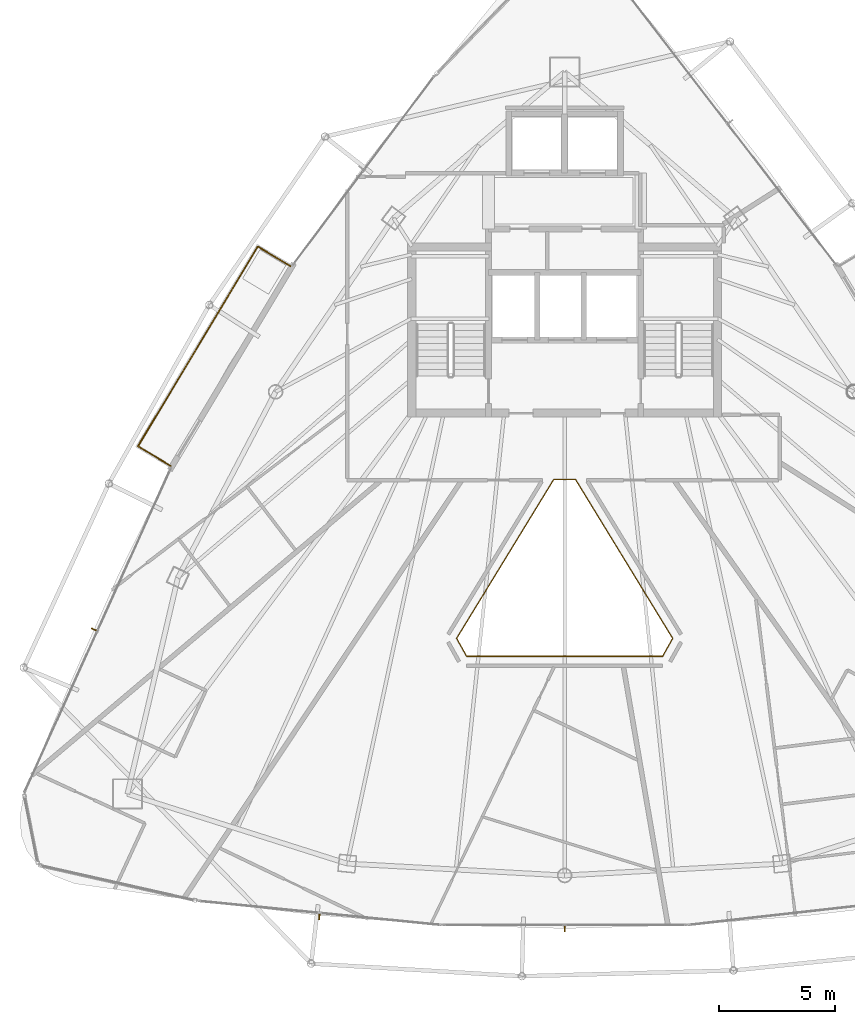
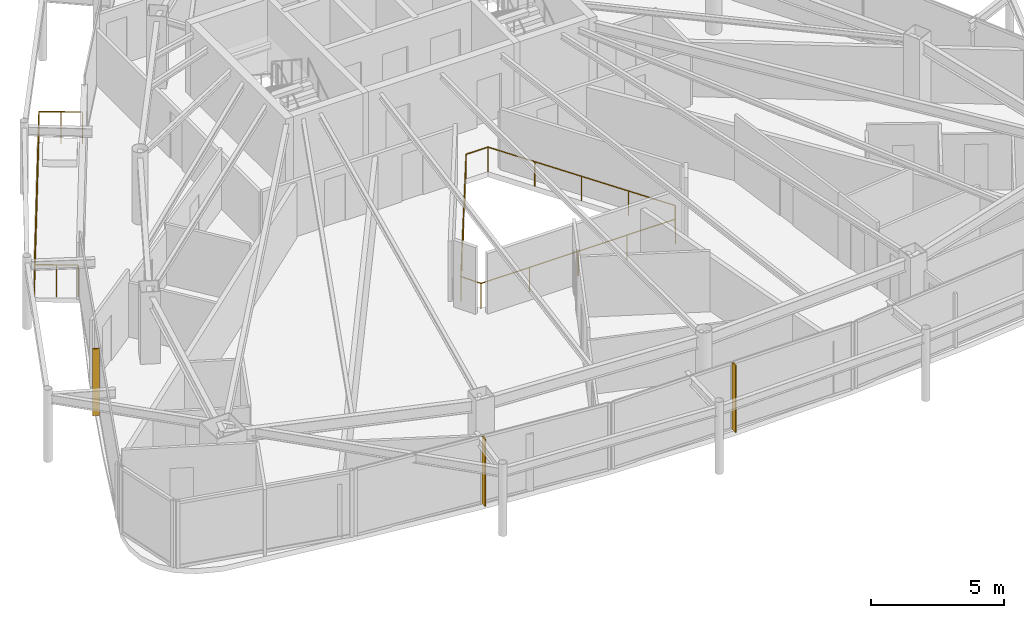
# One storey, part 31 of 33: 3 shading devices, 2 railings.
"""IFC4 building model written with IfcOpenShell, lengths in metres."""

import ifcopenshell
import ifcopenshell.guid

model = None  # the IFC model being written
_history = None  # IfcOwnerHistory: only IFC2X3 demands one
_inside = {}  # id of a spatial element -> (the spatial element, [elements in it])
_under = {}  # id of a project, library or spatial element -> (it, [spatial elements below it])
_declared = {}  # id of a project -> (the project, [libraries it declares])
_typed = {}  # id of a type object -> (the type object, [elements of that type])
_made_of = {}  # id of a material, layer set ... -> (it, [elements and type objects made of it])


def new_model(schema):
    """Start an empty IFC model of exactly this schema.

    Asked for "IFC4X3", IfcOpenShell would pick the latest addendum, in which some entities
    have other attributes; the version numbers below select the first issue.
    IFC2X3 requires an IfcOwnerHistory on every rooted entity: one is made here for all.
    """
    global model, _history
    if schema == "IFC4X3":
        model = ifcopenshell.file(schema_version=(4, 3, 0, 0))
    else:
        model = ifcopenshell.file(schema=schema)
    _inside.clear()
    _under.clear()
    _declared.clear()
    _typed.clear()
    _made_of.clear()
    _history = None
    if model.schema == "IFC2X3":
        org = make("IfcOrganization", Name="unknown")
        user = make(
            "IfcPersonAndOrganization",
            ThePerson=make("IfcPerson", FamilyName="unknown"),
            TheOrganization=org,
        )
        app = make(
            "IfcApplication",
            ApplicationDeveloper=org,
            Version="unknown",
            ApplicationFullName="unknown",
            ApplicationIdentifier="unknown",
        )
        _history = make(
            "IfcOwnerHistory",
            OwningUser=user,
            OwningApplication=app,
            ChangeAction="ADDED",
            CreationDate=0,
        )
    return model


def make(cls, **values):
    """One entity of the class cls with the attributes given. An attribute that is None is left unset."""
    return model.create_entity(
        cls, **{name: value for name, value in values.items() if value is not None}
    )


def rooted(cls, **values):
    """An entity with a GlobalId (a new one), such as an element, a storey or a relation."""
    return make(cls, GlobalId=ifcopenshell.guid.new(), OwnerHistory=_history, **values)


def si_unit(unit_type, name, prefix=None):
    """IfcSIUnit, for example si_unit("LENGTHUNIT", "METRE", prefix="MILLI")."""
    return make("IfcSIUnit", UnitType=unit_type, Prefix=prefix, Name=name)


def assignment(units):
    """IfcUnitAssignment: the units of a project."""
    return None if units is None else make("IfcUnitAssignment", Units=units)


def point(xyz):
    """IfcCartesianPoint."""
    return None if xyz is None else make("IfcCartesianPoint", Coordinates=xyz)


def direction(xyz):
    """IfcDirection."""
    return None if xyz is None else make("IfcDirection", DirectionRatios=xyz)


def frame(location, z_axis=None, x_axis=None):
    """IfcAxis2Placement3D, a coordinate frame: its origin and axes. An axis left out is left unset."""
    return make(
        "IfcAxis2Placement3D",
        Location=point(location),
        Axis=direction(z_axis),
        RefDirection=direction(x_axis),
    )


def frame_2d(location, x_axis=None):
    """IfcAxis2Placement2D, a coordinate frame in the plane: its origin and x axis."""
    return make(
        "IfcAxis2Placement2D", Location=point(location), RefDirection=direction(x_axis)
    )


def origin():
    """The frame at (0, 0, 0) with its axes left unset."""
    return frame((0.0, 0.0, 0.0))


def origin_2d():
    """The frame at (0, 0) in the plane with its x axis left unset."""
    return frame_2d((0.0, 0.0))


def place(relative_to, where):
    """IfcLocalPlacement: puts the frame where relative to a parent placement (None: the world)."""
    return make(
        "IfcLocalPlacement", PlacementRelTo=relative_to, RelativePlacement=where
    )


def context(
    kind, dimensions, precision=None, world=None, true_north=None, identifier=None
):
    """IfcGeometricRepresentationContext, for example the 3D "Model" context."""
    return make(
        "IfcGeometricRepresentationContext",
        ContextIdentifier=identifier,
        ContextType=kind,
        CoordinateSpaceDimension=dimensions,
        Precision=precision,
        WorldCoordinateSystem=world,
        TrueNorth=true_north,
    )


def subcontext(parent, identifier, kind, view, scale=None):
    """IfcGeometricRepresentationSubContext, for example "Body" below "Model"."""
    return make(
        "IfcGeometricRepresentationSubContext",
        ContextIdentifier=identifier,
        ContextType=kind,
        ParentContext=parent,
        TargetScale=scale,
        TargetView=view,
    )


def project(units=None, contexts=None):
    """IfcProject with its units and contexts."""
    return rooted(
        "IfcProject",
        Name="project",
        RepresentationContexts=contexts,
        UnitsInContext=assignment(units),
    )


def spatial(cls, under=None, at=None, **own):
    """A site, building, storey or space (cls), placed at a placement, below another one or the project."""
    s = rooted(cls, ObjectPlacement=at, **own)
    if under is not None:
        _under.setdefault(under.id(), (under, []))[1].append(s)
    return s


def profile(cls, at=None, kind="AREA", **sizes):
    """A parametric profile (cls). Its sizes go by their IFC names, for example OverallWidth=200.0."""
    return make(cls, ProfileType=kind, Position=at, **sizes)


def rectangle(**sizes):
    """IfcRectangleProfileDef."""
    return profile("IfcRectangleProfileDef", **sizes)


def circle(**sizes):
    """IfcCircleProfileDef."""
    return profile("IfcCircleProfileDef", **sizes)


def extrude(swept, where, along, depth):
    """IfcExtrudedAreaSolid: the profile swept, set in the frame where, extruded along a direction by depth."""
    return make(
        "IfcExtrudedAreaSolid",
        SweptArea=swept,
        Position=where,
        ExtrudedDirection=direction(along),
        Depth=depth,
    )


def shape(context_of_items, identifier, shape_type, items):
    """IfcShapeRepresentation: the items that make up one representation, for example the "Body"."""
    return make(
        "IfcShapeRepresentation",
        ContextOfItems=context_of_items,
        RepresentationIdentifier=identifier,
        RepresentationType=shape_type,
        Items=items,
    )


def material(Name=None, Category=None):
    """IfcMaterial."""
    return make("IfcMaterial", Name=Name, Category=Category)


def layer(
    of_material, thickness, ventilated=None, Name=None, Category=None, Priority=None
):
    """IfcMaterialLayer: one layer of a wall or slab, of a material (None: an air gap)."""
    return make(
        "IfcMaterialLayer",
        Material=of_material,
        LayerThickness=thickness,
        IsVentilated=ventilated,
        Name=Name,
        Category=Category,
        Priority=Priority,
    )


def layer_set(layers, Name=None):
    """IfcMaterialLayerSet."""
    return make("IfcMaterialLayerSet", MaterialLayers=layers, LayerSetName=Name)


def made_of(thing, what):
    """Note that an element or type object is made of a material, layer set ...; save() writes the relation."""
    if what is not None:
        _made_of.setdefault(what.id(), (what, []))[1].append(thing)
    return thing


def type_object(cls, material=None, **own):
    """A type object (cls), such as IfcWallType, which elements share."""
    return made_of(rooted(cls, **own), material)


def element(
    cls,
    number,
    at=None,
    inside=None,
    cuts=None,
    type_object=None,
    material=None,
    context=None,
    identifier="Body",
    shape_type=None,
    held_by="IfcProductDefinitionShape",
    body=None,
    shapes=None,
    **own,
):
    """One element of the class cls, such as IfcWall. Its Tag is "e" and its number.

    at: its placement. inside: the storey or other place that contains it. cuts: it is an
    opening in that element (IfcRelVoidsElement). A single representation is given by context,
    identifier, shape_type and body (its items); several are given by shapes. held_by: the class
    of the entity that holds the representations. save() writes the other relations.
    """
    e = rooted(cls, Tag="e%d" % number, ObjectPlacement=at, **own)
    if body is not None:
        shapes = [shape(context, identifier, shape_type, body)]
    if shapes is not None:
        e.Representation = make(held_by, Representations=shapes)
    if inside is not None:
        _inside.setdefault(inside.id(), (inside, []))[1].append(e)
    if cuts is not None:
        rooted(
            "IfcRelVoidsElement", RelatingBuildingElement=cuts, RelatedOpeningElement=e
        )
    if type_object is not None:
        _typed.setdefault(type_object.id(), (type_object, []))[1].append(e)
    return made_of(e, material)


def aggregate(whole, parts):
    """IfcRelAggregates: a whole, such as a stair, and the parts it consists of."""
    return rooted("IfcRelAggregates", RelatingObject=whole, RelatedObjects=parts)


def save(model, path):
    """Write the relations noted so far, then the file.

    IfcRelAggregates (storeys below a building ...), IfcRelContainedInSpatialStructure (elements
    in a storey), IfcRelDefinesByType, IfcRelAssociatesMaterial and IfcRelDeclares: one each for
    every whole, place, type object, material and project.
    """
    for whole, parts in _under.values():
        aggregate(whole, parts)
    for where, things in _inside.values():
        rooted(
            "IfcRelContainedInSpatialStructure",
            RelatedElements=things,
            RelatingStructure=where,
        )
    for kind, things in _typed.values():
        rooted("IfcRelDefinesByType", RelatedObjects=things, RelatingType=kind)
    for what, things in _made_of.values():
        rooted("IfcRelAssociatesMaterial", RelatedObjects=things, RelatingMaterial=what)
    for by, libraries in _declared.values():
        rooted("IfcRelDeclares", RelatingContext=by, RelatedDefinitions=libraries)
    model.write(path)


model = new_model("IFC4")

# Units and contexts
model_context = context("Model", 3, precision=1e-05, world=origin(), true_north=direction((0.0, 1.0)))
body_context = subcontext(model_context, "Body", "Model", "MODEL_VIEW")
ifc_project = project(units=[si_unit("LENGTHUNIT", "METRE"), si_unit("AREAUNIT", "SQUARE_METRE"), si_unit("VOLUMEUNIT", "CUBIC_METRE"), si_unit("PLANEANGLEUNIT", "RADIAN"), si_unit("MASSUNIT", "GRAM", prefix="KILO")], contexts=[model_context])

# Site, building, storey
site_placement = place(None, origin())
site = spatial("IfcSite", under=ifc_project, at=site_placement, CompositionType="ELEMENT")
building_placement = place(site_placement, origin())
building = spatial("IfcBuilding", under=site, at=building_placement, Name="Orvanel Arch Residences", CompositionType="ELEMENT")
storey_placement = place(building_placement, frame((0.0, 0.0, 206.300048828125)))
storey = spatial("IfcBuildingStorey", under=building, at=storey_placement, Name="L58", CompositionType="ELEMENT", Elevation=206.300048828125)

# Shading devices
ifc_material = material(Name="Bronze-anodised aluminium AA6063-T6", Category="aluminium")
ifc_layer = layer(ifc_material, 0.050048828125)
ifc_layer_set = layer_set([ifc_layer], Name="Bronze-anodised aluminium AA6063-T6")
shading_device_type = type_object("IfcShadingDeviceType", Name="FIN-BRZ-260", PredefinedType="USERDEFINED", material=ifc_layer_set)
for number, where, z_axis, x_axis, name in (
    (1, (12.764892578125, 17.419921875, 0.0), (0.0, 0.0, 1.0), (-0.911403276635, 0.411514358605, 0.0), "L58 Anodised Bronze Mullion FIN 01"),
    (2, (22.450927734375, 5.074951171875, 0.0), (0.0, 0.0, 1.0), (-0.099319749744, -0.995055569961, 0.0), "L58 Anodised Bronze Mullion FIN 01"),
    (3, (33.0, 4.552978515625, 0.0), (0.0, 0.0, 1.0), (0.0, -1.0, 0.0), "L58 Anodised Bronze Mullion FIN 01"),
):
    element("IfcShadingDevice", number, at=place(storey_placement, frame(where, z_axis=z_axis, x_axis=x_axis)), inside=storey, type_object=shading_device_type, Name=name, ObjectType="FIN", PredefinedType="USERDEFINED", context=body_context, shape_type="SweptSolid", body=[
        extrude(rectangle(XDim=0.260009765625, YDim=0.050048828125, at=origin_2d()), origin(), (0.0, 0.0, 1.0), 3.06005859375),
    ])

# Railings
railing_type_1 = type_object("IfcRailingType", Name="RL-ATR-1150", PredefinedType="BALUSTRADE", material=ifc_material)
railing_1_placement = place(storey_placement, frame((33.470947265625, 23.867919921875, 0.0)))
element("IfcRailing", 4, at=railing_1_placement, inside=storey, type_object=railing_type_1, Name="L58 Atrium Void Protective Balustrade", PredefinedType="BALUSTRADE", context=body_context, shape_type="SweptSolid", body=[
    extrude(circle(Radius=0.02392578125, at=origin_2d()), frame((-0.00146484375, 0.0, 1.1259765625), z_axis=(-1.0, 0.0, 0.0), x_axis=(0.0, -1.0, 0.0)), (0.0, 0.0, 1.0), 0.93896484375),
    extrude(circle(Radius=0.02392578125, at=origin_2d()), frame((-0.942626953125, -0.001220703125, 1.1259765625), z_axis=(-0.521495669835, -0.853253928408, 0.0), x_axis=(0.853253928408, -0.521495669835, 0.0)), (0.0, 0.0, 1.0), 7.999267578125),
    extrude(circle(Radius=0.02392578125, at=origin_2d()), frame((-5.1142578125, -6.8291015625, 1.1259765625), z_axis=(0.488552824191, -0.872534319082, 0.0), x_axis=(0.872534319082, 0.488552824191, 0.0)), (0.0, 0.0, 1.0), 0.87939453125),
    extrude(circle(Radius=0.02392578125, at=origin_2d()), frame((-4.682373046875, -7.597900390625, 1.1259765625), z_axis=(1.0, 0.0, 0.0), x_axis=(0.0, 1.0, 0.0)), (0.0, 0.0, 1.0), 8.4228515625),
    extrude(circle(Radius=0.02392578125, at=origin_2d()), frame((3.74267578125, -7.5966796875, 1.1259765625), z_axis=(0.488552824191, 0.872534319082, 0.0), x_axis=(-0.872534319082, 0.488552824191, 0.0)), (0.0, 0.0, 1.0), 0.87939453125),
    extrude(circle(Radius=0.02392578125, at=origin_2d()), frame((4.17236328125, -6.82666015625, 1.1259765625), z_axis=(-0.521495669835, 0.853253928408, 0.0), x_axis=(-0.853253928408, -0.521495669835, 0.0)), (0.0, 0.0, 1.0), 7.999267578125),
    extrude(circle(Radius=0.02099609375, at=origin_2d()), origin(), (0.0, 0.0, 1.0), 1.099853515625),
    extrude(circle(Radius=0.02099609375, at=origin_2d()), frame((-0.94189453125, 0.0, 0.0)), (0.0, 0.0, 1.0), 1.099853515625),
    extrude(circle(Radius=0.02099609375, at=origin_2d()), frame((-1.985107421875, -1.70703125, 0.0)), (0.0, 0.0, 1.0), 1.099853515625),
    extrude(circle(Radius=0.02099609375, at=origin_2d()), frame((-3.0283203125, -3.4140625, 0.0)), (0.0, 0.0, 1.0), 1.099853515625),
    extrude(circle(Radius=0.02099609375, at=origin_2d()), frame((-4.07177734375, -5.120849609375, 0.0)), (0.0, 0.0, 1.0), 1.099853515625),
    extrude(circle(Radius=0.02099609375, at=origin_2d()), frame((-5.114990234375, -6.827880859375, 0.0)), (0.0, 0.0, 1.0), 1.099853515625),
    extrude(circle(Radius=0.02099609375, at=origin_2d()), frame((-4.683837890625, -7.597900390625, 0.0)), (0.0, 0.0, 1.0), 1.099853515625),
    extrude(circle(Radius=0.02099609375, at=origin_2d()), frame((-2.577392578125, -7.597900390625, 0.0)), (0.0, 0.0, 1.0), 1.099853515625),
    extrude(circle(Radius=0.02099609375, at=origin_2d()), frame((-0.470947265625, -7.597900390625, 0.0)), (0.0, 0.0, 1.0), 1.099853515625),
    extrude(circle(Radius=0.02099609375, at=origin_2d()), frame((1.635498046875, -7.597900390625, 0.0)), (0.0, 0.0, 1.0), 1.099853515625),
    extrude(circle(Radius=0.02099609375, at=origin_2d()), frame((3.741943359375, -7.597900390625, 0.0)), (0.0, 0.0, 1.0), 1.099853515625),
    extrude(circle(Radius=0.02099609375, at=origin_2d()), frame((4.173095703125, -6.827880859375, 0.0)), (0.0, 0.0, 1.0), 1.099853515625),
    extrude(circle(Radius=0.02099609375, at=origin_2d()), frame((3.1298828125, -5.120849609375, 0.0)), (0.0, 0.0, 1.0), 1.099853515625),
    extrude(circle(Radius=0.02099609375, at=origin_2d()), frame((2.08642578125, -3.4140625, 0.0)), (0.0, 0.0, 1.0), 1.099853515625),
    extrude(circle(Radius=0.02099609375, at=origin_2d()), frame((1.043212890625, -1.70703125, 0.0)), (0.0, 0.0, 1.0), 1.099853515625),
])
railing_type_2 = type_object("IfcRailingType", Name="RL-BAL-1480", PredefinedType="BALUSTRADE", material=ifc_material)
railing_2_placement = place(storey_placement, frame((21.2099609375, 33.047119140625, 0.0)))
element("IfcRailing", 5, at=railing_2_placement, inside=storey, type_object=railing_type_2, Name="L58 Balcony Perimeter Guardrail Face 1", PredefinedType="BALUSTRADE", context=body_context, shape_type="SweptSolid", body=[
    extrude(circle(Radius=0.02392578125, at=origin_2d()), frame((-0.001220703125, 0.000732421875, 1.4560546875), z_axis=(-0.857387817543, 0.514670895164, 0.0), x_axis=(-0.514670895164, -0.857387817543, 0.0)), (0.0, 0.0, 1.0), 1.636962890625),
    extrude(circle(Radius=0.02392578125, at=origin_2d()), frame((-1.40673828125, 0.8427734375, 1.4560546875), z_axis=(-0.514467079564, -0.857510130579, 0.0), x_axis=(0.857510130579, -0.514467079564, 0.0)), (0.0, 0.0, 1.0), 10.013427734375),
    extrude(circle(Radius=0.02392578125, at=origin_2d()), frame((-6.557861328125, -7.745849609375, 1.4560546875), z_axis=(0.857584807373, -0.514342588322, 0.0), x_axis=(0.514342588322, 0.857584807373, 0.0)), (0.0, 0.0, 1.0), 1.637939453125),
    extrude(circle(Radius=0.02099609375, at=origin_2d()), origin(), (0.0, 0.0, 1.0), 1.429931640625),
    extrude(circle(Radius=0.02099609375, at=origin_2d()), frame((-0.703125, 0.421875, 0.0)), (0.0, 0.0, 1.0), 1.429931640625),
    extrude(circle(Radius=0.02099609375, at=origin_2d()), frame((-1.406005859375, 0.843994140625, 0.0)), (0.0, 0.0, 1.0), 1.429931640625),
    extrude(circle(Radius=0.02099609375, at=origin_2d()), frame((-1.978515625, -0.1103515625, 0.0)), (0.0, 0.0, 1.0), 1.429931640625),
    extrude(circle(Radius=0.02099609375, at=origin_2d()), frame((-2.551025390625, -1.064697265625, 0.0)), (0.0, 0.0, 1.0), 1.429931640625),
    extrude(circle(Radius=0.02099609375, at=origin_2d()), frame((-3.123779296875, -2.01904296875, 0.0)), (0.0, 0.0, 1.0), 1.429931640625),
    extrude(circle(Radius=0.02099609375, at=origin_2d()), frame((-3.6962890625, -2.973388671875, 0.0)), (0.0, 0.0, 1.0), 1.429931640625),
    extrude(circle(Radius=0.02099609375, at=origin_2d()), frame((-4.268798828125, -3.927734375, 0.0)), (0.0, 0.0, 1.0), 1.429931640625),
    extrude(circle(Radius=0.02099609375, at=origin_2d()), frame((-4.84130859375, -4.882080078125, 0.0)), (0.0, 0.0, 1.0), 1.429931640625),
    extrude(circle(Radius=0.02099609375, at=origin_2d()), frame((-5.4140625, -5.83642578125, 0.0)), (0.0, 0.0, 1.0), 1.429931640625),
    extrude(circle(Radius=0.02099609375, at=origin_2d()), frame((-5.986572265625, -6.790771484375, 0.0)), (0.0, 0.0, 1.0), 1.429931640625),
    extrude(circle(Radius=0.02099609375, at=origin_2d()), frame((-6.55908203125, -7.7451171875, 0.0)), (0.0, 0.0, 1.0), 1.429931640625),
    extrude(circle(Radius=0.02099609375, at=origin_2d()), frame((-5.85546875, -8.1669921875, 0.0)), (0.0, 0.0, 1.0), 1.429931640625),
    extrude(circle(Radius=0.02099609375, at=origin_2d()), frame((-5.15185546875, -8.589111328125, 0.0)), (0.0, 0.0, 1.0), 1.429931640625),
])

save(model, "model.ifc")
